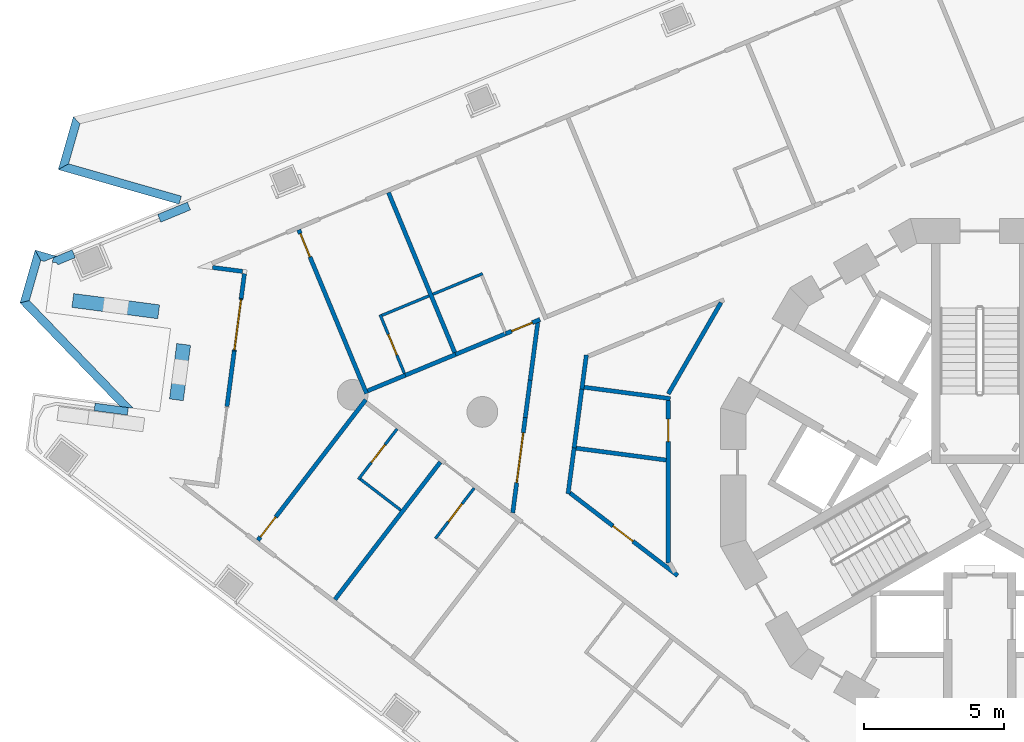
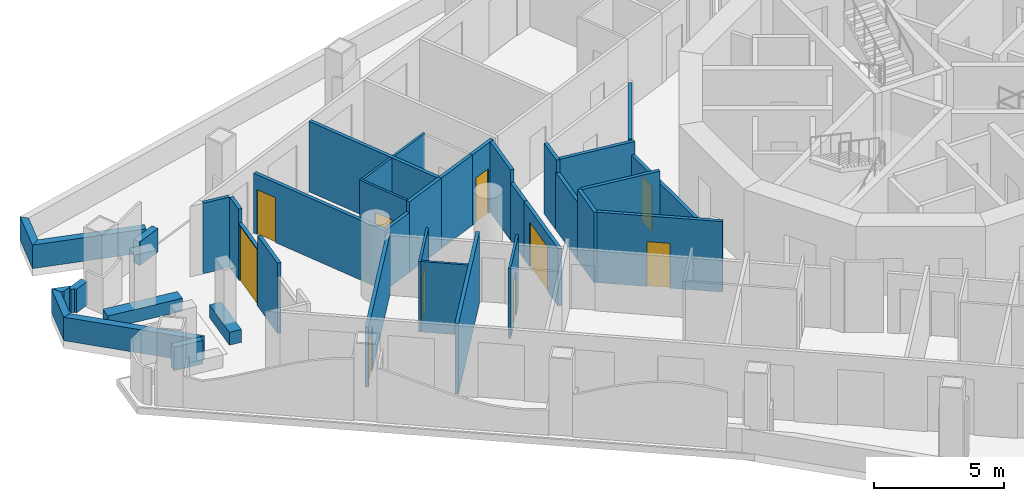
# One storey, part 6 of 19: 39 walls, 10 doors, 10 openings.
"""IFC4 building model written with IfcOpenShell, lengths in metres."""

from ifc_helpers import new_model, si_unit, direction, frame, frame_2d, origin, place, context, subcontext, project, spatial, polyline, rectangle, outline, extrude, material, layer, layer_set, type_object, element, fill, save


model = new_model("IFC4")

# Units and contexts
model_context = context("Model", 3, precision=1e-05, world=origin(), true_north=direction((0.0, 1.0)))
body_context = subcontext(model_context, "Body", "Model", "MODEL_VIEW")
ifc_project = project(units=[si_unit("LENGTHUNIT", "METRE"), si_unit("AREAUNIT", "SQUARE_METRE"), si_unit("VOLUMEUNIT", "CUBIC_METRE"), si_unit("PLANEANGLEUNIT", "RADIAN"), si_unit("MASSUNIT", "GRAM", prefix="KILO")], contexts=[model_context])

# Site, building, storey
site_placement = place(None, origin())
site = spatial("IfcSite", under=ifc_project, at=site_placement, CompositionType="ELEMENT")
building_placement = place(site_placement, origin())
building = spatial("IfcBuilding", under=site, at=building_placement, Name="Trine Commons Tower", CompositionType="ELEMENT")
storey_placement = place(building_placement, frame((0.0, 0.0, 124.199951171875)))
storey = spatial("IfcBuildingStorey", under=building, at=storey_placement, Name="L31", CompositionType="ELEMENT", Elevation=124.199951171875)

# Wall
ifc_material_1 = material(Name="Aluminium-framed insulated wall panel", Category="aluminium")
ifc_layer_1 = layer(ifc_material_1, 0.14990234375)
ifc_layer_set_1 = layer_set([ifc_layer_1], Name="Aluminium-framed insulated wall panel")
wall_type_1 = type_object("IfcWallType", Name="Glazed frame wall 150, EI 60", PredefinedType="SOLIDWALL", material=ifc_layer_set_1)
wall_1_placement = place(storey_placement, frame((53.059326171875, 65.0380859375, 0.0), z_axis=(0.0, 0.0, 1.0), x_axis=(0.130492404742, 0.991449308994, 0.0)))
element("IfcWall", 1, at=wall_1_placement, inside=storey, type_object=wall_type_1, Name="Glazed frame wall P1.3", PredefinedType="SOLIDWALL", context=body_context, shape_type="SweptSolid", body=[
    extrude(outline(polyline([(0.0, -0.074951171875), (2.0, -0.074951171875), (2.0, 0.074951171875), (0.0, 0.074951171875), (0.0, -0.074951171875)])), origin(), (0.0, 0.0, 1.0), 3.300048828125),
])

# Wall, opening, door
wall_2_placement = place(storey_placement, frame((53.3203125, 67.02099609375, 0.0), z_axis=(0.0, 0.0, 1.0), x_axis=(0.130547578832, 0.991442045538, 0.0)))
wall_2 = element("IfcWall", 2, at=wall_2_placement, inside=storey, type_object=wall_type_1, Name="Glazed frame wall P1.4", PredefinedType="SOLIDWALL", context=body_context, shape_type="SweptSolid", body=[
    extrude(outline(polyline([(0.0, -0.074951171875), (1.89990234375, -0.074951171875), (1.89990234375, 0.074951171875), (0.0, 0.074951171875), (0.0, -0.074951171875)])), origin(), (0.0, 0.0, 1.0), 2.650146484375),
])
opening_1_placement = place(wall_2_placement, frame((0.050048828125, 0.0, 0.0)))
opening_1 = element("IfcOpeningElement", 3, at=opening_1_placement, cuts=wall_2, Name="Opening BD-4P1-02", PredefinedType="OPENING", context=body_context, shape_type="SweptSolid", body=[
    extrude(rectangle(XDim=1.800048828125, YDim=2.60009765625, at=frame_2d((0.89990234375, 1.300048828125))), frame((0.0, 0.0849609375, 0.0), z_axis=(0.0, -1.0, 0.0), x_axis=(1.0, 0.0, 0.0)), (0.0, 0.0, 1.0), 0.169921875),
])
ifc_material_2 = material(Name="Anodised aluminium frame with double glazing", Category="aluminium")
door_type_1 = type_object("IfcDoorType", Name="Sliding loggia door 1800x2600", OperationType="SLIDING_TO_LEFT", PredefinedType="DOOR", material=ifc_material_2)
door_1_placement = place(opening_1_placement, origin())
door_1 = element("IfcDoor", 4, at=door_1_placement, inside=storey, type_object=door_type_1, Name="Loggia door P1 2", OperationType="SLIDING_TO_LEFT", OverallHeight=2.60009765625, OverallWidth=1.800048828125, PredefinedType="DOOR", context=body_context, shape_type="SweptSolid", body=[
    extrude(rectangle(XDim=1.800048828125, YDim=2.60009765625, at=frame_2d((0.89990234375, 1.300048828125))), frame((0.0, 0.02490234375, 0.0), z_axis=(0.0, -1.0, 0.0), x_axis=(1.0, 0.0, 0.0)), (0.0, 0.0, 1.0), 0.050048828125),
])
fill(opening_1, door_1)

# Walls
wall_3_placement = place(storey_placement, frame((53.568359375, 68.90478515625, 0.0), z_axis=(0.0, 0.0, 1.0), x_axis=(0.130612392842, 0.991433509034, 0.0)))
element("IfcWall", 5, at=wall_3_placement, inside=storey, type_object=wall_type_1, Name="Glazed frame wall P1.5", PredefinedType="SOLIDWALL", context=body_context, shape_type="SweptSolid", body=[
    extrude(outline(polyline([(0.889892578125, 0.074951171875), (0.0, 0.074951171875), (0.0, -0.074951171875), (0.889892578125, -0.074951171875), (0.889892578125, 0.074951171875)])), origin(), (0.0, 0.0, 1.0), 3.300048828125),
])
wall_4_placement = place(storey_placement, frame((53.72900390625, 69.85693359375, 0.0), z_axis=(0.0, 0.0, 1.0), x_axis=(-0.991446880033, 0.130510858064, 0.0)))
element("IfcWall", 6, at=wall_4_placement, inside=storey, type_object=wall_type_1, Name="Glazed frame wall R3", PredefinedType="SOLIDWALL", context=body_context, shape_type="SweptSolid", body=[
    extrude(outline(polyline([(0.110107421875, 0.074951171875), (0.110107421875, -0.074951171875), (1.19580078125, -0.074951171875), (1.19580078125, 0.074951171875), (0.110107421875, 0.074951171875)])), origin(), (0.0, 0.0, 1.0), 3.300048828125),
])
ifc_material_3 = material(Name="Planter trough, precast concrete C40/50", Category="concrete")
ifc_layer_2 = layer(ifc_material_3, 0.5)
ifc_layer_set_2 = layer_set([ifc_layer_2], Name="Planter trough, precast concrete C40/50")
wall_type_2 = type_object("IfcWallType", Name="Planter trough 500x600", PredefinedType="PARAPET", material=ifc_layer_set_2)
wall_5_placement = place(storey_placement, frame((51.25, 65.2763671875, 0.0), z_axis=(0.0, 0.0, 1.0), x_axis=(0.130492404742, 0.991449308994, 0.0)))
element("IfcWall", 7, at=wall_5_placement, inside=storey, type_object=wall_type_2, Name="Planter 2", PredefinedType="PARAPET", context=body_context, shape_type="SweptSolid", body=[
    extrude(rectangle(XDim=2.0, YDim=0.5, at=frame_2d((1.0, 0.0))), origin(), (0.0, 0.0, 1.0), 0.60009765625),
])
wall_6_placement = place(storey_placement, frame((50.615478515625, 68.426025390625, 0.0), z_axis=(0.0, 0.0, 1.0), x_axis=(-0.991437130155, 0.130584903225, 0.0)))
element("IfcWall", 8, at=wall_6_placement, inside=storey, type_object=wall_type_2, Name="Planter 3", PredefinedType="PARAPET", context=body_context, shape_type="SweptSolid", body=[
    extrude(rectangle(XDim=3.099853515625, YDim=0.5, at=frame_2d((1.5498046875, 0.0))), origin(), (0.0, 0.0, 1.0), 0.60009765625),
])
ifc_material_4 = material(Name="Limestone, honed", Category="masonry")
ifc_layer_3 = layer(ifc_material_4, 0.300048828125)
ifc_layer_set_3 = layer_set([ifc_layer_3], Name="Limestone, honed")
wall_type_3 = type_object("IfcWallType", Name="Stone parapet 300", PredefinedType="PARAPET", material=ifc_layer_set_3)
wall_7_placement = place(storey_placement, origin())
element("IfcWall", 9, at=wall_7_placement, inside=storey, type_object=wall_type_3, Name="Sliver roof parapet L30 1.1", PredefinedType="PARAPET", context=body_context, shape_type="SweptSolid", body=[
    extrude(outline(polyline([(46.962890625, 70.412841796875), (46.1943359375, 70.63330078125), (46.400146484375, 70.26220703125), (46.51806640625, 70.228271484375), (46.835693359375, 70.360107421875), (46.962890625, 70.412841796875)])), origin(), (0.0, 0.0, 1.0), 1.10009765625),
])
wall_8_placement = place(storey_placement, origin())
element("IfcWall", 10, at=wall_8_placement, inside=storey, type_object=wall_type_3, Name="Sliver roof parapet L30 1.2", PredefinedType="PARAPET", context=body_context, shape_type="SweptSolid", body=[
    extrude(outline(polyline([(46.1943359375, 70.63330078125), (45.653076171875, 68.7451171875), (45.989013671875, 68.828857421875), (46.400146484375, 70.26220703125), (46.1943359375, 70.63330078125)])), origin(), (0.0, 0.0, 1.0), 1.10009765625),
])
wall_9_placement = place(storey_placement, origin())
element("IfcWall", 11, at=wall_9_placement, inside=storey, type_object=wall_type_3, Name="Sliver roof parapet L30 1.3", PredefinedType="PARAPET", context=body_context, shape_type="SweptSolid", body=[
    extrude(outline(polyline([(45.653076171875, 68.7451171875), (49.2333984375, 65.03759765625), (49.711181640625, 64.974609375), (45.989013671875, 68.828857421875), (45.653076171875, 68.7451171875)])), origin(), (0.0, 0.0, 1.0), 1.10009765625),
])
wall_10_placement = place(storey_placement, origin())
element("IfcWall", 12, at=wall_10_placement, inside=storey, type_object=wall_type_3, Name="Sliver roof parapet extension L30 1.X1", PredefinedType="PARAPET", context=body_context, shape_type="SweptSolid", body=[
    extrude(outline(polyline([(46.834228515625, 70.347900390625), (46.82861328125, 70.304931640625), (46.814697265625, 70.19921875), (46.95703125, 70.180419921875), (47.01171875, 70.10595703125), (47.018798828125, 70.111083984375), (47.632080078125, 70.365234375), (47.51708984375, 70.642333984375), (46.87060546875, 70.37451171875), (46.834228515625, 70.347900390625)])), origin(), (0.0, 0.0, 1.0), 1.10009765625),
])
wall_11_placement = place(storey_placement, origin())
element("IfcWall", 13, at=wall_11_placement, inside=storey, type_object=wall_type_3, Name="Sliver roof parapet extension L30 1.X2", PredefinedType="PARAPET", context=body_context, shape_type="SweptSolid", body=[
    extrude(outline(polyline([(49.49560546875, 64.730712890625), (49.53076171875, 64.998291015625), (48.341064453125, 65.155029296875), (48.305908203125, 64.887451171875), (49.49560546875, 64.730712890625)])), origin(), (0.0, 0.0, 1.0), 1.10009765625),
])
wall_12_placement = place(storey_placement, origin())
element("IfcWall", 14, at=wall_12_placement, inside=storey, type_object=wall_type_3, Name="Sliver roof parapet L30 2.2", PredefinedType="PARAPET", context=body_context, shape_type="SweptSolid", body=[
    extrude(outline(polyline([(47.562744140625, 75.405029296875), (47.021240234375, 73.516845703125), (47.392333984375, 73.72265625), (47.80322265625, 75.15576171875), (47.562744140625, 75.405029296875)])), origin(), (0.0, 0.0, 1.0), 1.10009765625),
])
wall_13_placement = place(storey_placement, origin())
element("IfcWall", 15, at=wall_13_placement, inside=storey, type_object=wall_type_3, Name="Sliver roof parapet L30 2.3", PredefinedType="PARAPET", context=body_context, shape_type="SweptSolid", body=[
    extrude(outline(polyline([(47.021240234375, 73.516845703125), (51.346923828125, 72.276611328125), (51.4296875, 72.56494140625), (47.392333984375, 73.72265625), (47.021240234375, 73.516845703125)])), origin(), (0.0, 0.0, 1.0), 1.10009765625),
])
wall_14_placement = place(storey_placement, origin())
element("IfcWall", 16, at=wall_14_placement, inside=storey, type_object=wall_type_3, Name="Sliver roof parapet extension L30 2.X2", PredefinedType="PARAPET", context=body_context, shape_type="SweptSolid", body=[
    extrude(outline(polyline([(50.693359375, 71.63330078125), (51.755859375, 72.073486328125), (51.64111328125, 72.3505859375), (50.57861328125, 71.910400390625), (50.693359375, 71.63330078125)])), origin(), (0.0, 0.0, 1.0), 1.10009765625),
])

# Wall, opening, door
ifc_material_5 = material(Name="Gypsum plasterboard on steel stud", Category="steel")
ifc_layer_4 = layer(ifc_material_5, 0.14990234375)
ifc_layer_set_4 = layer_set([ifc_layer_4], Name="Gypsum plasterboard on steel stud")
wall_type_4 = type_object("IfcWallType", Name="Unit and corridor wall 150 mm, EI 60", PredefinedType="PARTITIONING", material=ifc_layer_set_4)
wall_15_placement = place(storey_placement, frame((54.165283203125, 60.248779296875, 0.0), z_axis=(0.0, 0.0, 1.0), x_axis=(0.608817658648, 0.793310190605, 0.0)))
wall_15 = element("IfcWall", 17, at=wall_15_placement, inside=storey, type_object=wall_type_4, Name="Partition 001", PredefinedType="PARTITIONING", context=body_context, shape_type="SweptSolid", body=[
    extrude(rectangle(XDim=6.343994140625, YDim=0.14990234375, at=frame_2d((3.171875, 0.0))), origin(), (0.0, 0.0, 1.0), 2.800048828125),
])
opening_2_placement = place(wall_15_placement, frame((0.14990234375, 0.0, 0.0)))
opening_2 = element("IfcOpeningElement", 18, at=opening_2_placement, cuts=wall_15, Name="Opening D-4A31", PredefinedType="OPENING", context=body_context, shape_type="SweptSolid", body=[
    extrude(rectangle(XDim=0.89990234375, YDim=2.10009765625, at=frame_2d((0.449951171875, 1.050048828125))), frame((0.0, 0.0849609375, 0.0), z_axis=(0.0, -1.0, 0.0), x_axis=(1.0, 0.0, 0.0)), (0.0, 0.0, 1.0), 0.169921875),
])
ifc_material_6 = material(Name="Timber fire door set", Category="wood")
door_type_2 = type_object("IfcDoorType", Name="Bedroom door 900 x 2100, FD30S", OperationType="NOTDEFINED", PredefinedType="DOOR", material=ifc_material_6)
door_2_placement = place(opening_2_placement, frame((0.89990234375, 0.0, 0.0), z_axis=(0.0, 0.0, 1.0), x_axis=(-1.0, 0.0, 0.0)))
door_2 = element("IfcDoor", 19, at=door_2_placement, inside=storey, type_object=door_type_2, Name="Door D-4A31", OperationType="SINGLE_SWING_RIGHT", OverallHeight=2.10009765625, OverallWidth=0.89990234375, PredefinedType="DOOR", context=body_context, shape_type="SweptSolid", body=[
    extrude(rectangle(XDim=0.89990234375, YDim=2.10009765625, at=frame_2d((0.449951171875, 1.050048828125))), frame((0.0, 0.02490234375, 0.0), z_axis=(0.0, -1.0, 0.0), x_axis=(1.0, 0.0, 0.0)), (0.0, 0.0, 1.0), 0.050048828125),
])
fill(opening_2, door_2)

wall_16_placement = place(storey_placement, frame((55.62841796875, 71.361083984375, 0.0), z_axis=(0.0, 0.0, 1.0), x_axis=(0.38260330851, -0.923912716828, 0.0)))
wall_16 = element("IfcWall", 20, at=wall_16_placement, inside=storey, type_object=wall_type_4, Name="Partition 002", PredefinedType="PARTITIONING", context=body_context, shape_type="SweptSolid", body=[
    extrude(rectangle(XDim=6.343994140625, YDim=0.14990234375, at=frame_2d((3.171875, 0.0))), origin(), (0.0, 0.0, 1.0), 2.800048828125),
])
opening_3_placement = place(wall_16_placement, frame((0.14990234375, 0.0, 0.0)))
opening_3 = element("IfcOpeningElement", 21, at=opening_3_placement, cuts=wall_16, Name="Opening D-4A05", PredefinedType="OPENING", context=body_context, shape_type="SweptSolid", body=[
    extrude(rectangle(XDim=0.89990234375, YDim=2.10009765625, at=frame_2d((0.449951171875, 1.050048828125))), frame((0.0, 0.0849609375, 0.0), z_axis=(0.0, -1.0, 0.0), x_axis=(1.0, 0.0, 0.0)), (0.0, 0.0, 1.0), 0.169921875),
])
door_3_placement = place(opening_3_placement, origin())
door_3 = element("IfcDoor", 22, at=door_3_placement, inside=storey, type_object=door_type_2, Name="Door D-4A05", OperationType="SINGLE_SWING_LEFT", OverallHeight=2.10009765625, OverallWidth=0.89990234375, PredefinedType="DOOR", context=body_context, shape_type="SweptSolid", body=[
    extrude(rectangle(XDim=0.89990234375, YDim=2.10009765625, at=frame_2d((0.449951171875, 1.050048828125))), frame((0.0, 0.02490234375, 0.0), z_axis=(0.0, -1.0, 0.0), x_axis=(1.0, 0.0, 0.0)), (0.0, 0.0, 1.0), 0.050048828125),
])
fill(opening_3, door_3)

# Walls
wall_17_placement = place(storey_placement, frame((56.92431640625, 58.131591796875, 0.0), z_axis=(0.0, 0.0, 1.0), x_axis=(0.608635904236, 0.793449643062, 0.0)))
element("IfcWall", 23, at=wall_17_placement, inside=storey, type_object=wall_type_4, Name="Partition 003", PredefinedType="PARTITIONING", context=body_context, shape_type="SweptSolid", body=[
    extrude(rectangle(XDim=6.194091796875, YDim=0.14990234375, at=frame_2d((3.09716796875, 0.0))), origin(), (0.0, 0.0, 1.0), 3.300048828125),
])
wall_18_placement = place(storey_placement, frame((58.09619140625, 65.59765625, 0.0), z_axis=(0.0, 0.0, 1.0), x_axis=(0.923888134281, 0.382662665196, 0.0)))
element("IfcWall", 24, at=wall_18_placement, inside=storey, type_object=wall_type_4, Name="Partition 007", PredefinedType="PARTITIONING", context=body_context, shape_type="SweptSolid", body=[
    extrude(rectangle(XDim=1.45654296875, YDim=0.14990234375, at=frame_2d((0.728271484375, 0.0))), origin(), (0.0, 0.0, 1.0), 2.800048828125),
])
wall_19_placement = place(storey_placement, frame((58.84130859375, 72.69189453125, 0.0), z_axis=(0.0, 0.0, 1.0), x_axis=(0.382610562407, -0.923909712869, 0.0)))
element("IfcWall", 25, at=wall_19_placement, inside=storey, type_object=wall_type_4, Name="Partition 010", PredefinedType="PARTITIONING", context=body_context, shape_type="SweptSolid", body=[
    extrude(rectangle(XDim=6.19384765625, YDim=0.14990234375, at=frame_2d((3.096923828125, 0.0))), origin(), (0.0, 0.0, 1.0), 3.300048828125),
])
wall_20_placement = place(storey_placement, frame((59.388916015625, 66.1328125, 0.0), z_axis=(0.0, 0.0, 1.0), x_axis=(0.923817799338, 0.382832435442, 0.0)))
element("IfcWall", 26, at=wall_20_placement, inside=storey, type_object=wall_type_4, Name="Partition 011", PredefinedType="PARTITIONING", context=body_context, shape_type="SweptSolid", body=[
    extrude(rectangle(XDim=2.003662109375, YDim=0.14990234375, at=frame_2d((1.001953125, 0.0))), origin(), (0.0, 0.0, 1.0), 3.300048828125),
])
wall_21_placement = place(storey_placement, frame((61.239990234375, 66.89990234375, 0.0), z_axis=(0.0, 0.0, 1.0), x_axis=(0.92387678234, 0.382690071798, 0.0)))
element("IfcWall", 27, at=wall_21_placement, inside=storey, type_object=wall_type_4, Name="Partition 016", PredefinedType="PARTITIONING", context=body_context, shape_type="SweptSolid", body=[
    extrude(rectangle(XDim=1.95458984375, YDim=0.14990234375, at=frame_2d((0.977294921875, 0.0))), origin(), (0.0, 0.0, 1.0), 3.300048828125),
])

# Wall, opening, door
wall_22_placement = place(storey_placement, frame((63.0380859375, 67.64404296875, 0.0), z_axis=(0.0, 0.0, 1.0), x_axis=(0.923848523473, 0.38275828623, 0.0)))
wall_22 = element("IfcWall", 28, at=wall_22_placement, inside=storey, type_object=wall_type_4, Name="Partition 020", PredefinedType="PARTITIONING", context=body_context, shape_type="SweptSolid", body=[
    extrude(rectangle(XDim=1.326171875, YDim=0.14990234375, at=frame_2d((0.6630859375, 0.0))), origin(), (0.0, 0.0, 1.0), 3.300048828125),
])
opening_4_placement = place(wall_22_placement, frame((0.227783203125, 0.0, 0.0)))
opening_4 = element("IfcOpeningElement", 29, at=opening_4_placement, cuts=wall_22, Name="Opening D-4A06", PredefinedType="OPENING", context=body_context, shape_type="SweptSolid", body=[
    extrude(rectangle(XDim=0.800048828125, YDim=2.10009765625, at=frame_2d((0.39990234375, 1.050048828125))), frame((0.0, 0.0849609375, 0.0), z_axis=(0.0, -1.0, 0.0), x_axis=(1.0, 0.0, 0.0)), (0.0, 0.0, 1.0), 0.169921875),
])
door_type_3 = type_object("IfcDoorType", Name="Bedroom door 800 x 2100, FD30S", OperationType="NOTDEFINED", PredefinedType="DOOR", material=ifc_material_6)
door_4_placement = place(opening_4_placement, origin())
door_4 = element("IfcDoor", 30, at=door_4_placement, inside=storey, type_object=door_type_3, Name="Door D-4A06", OperationType="SINGLE_SWING_LEFT", OverallHeight=2.10009765625, OverallWidth=0.800048828125, PredefinedType="DOOR", context=body_context, shape_type="SweptSolid", body=[
    extrude(rectangle(XDim=0.800048828125, YDim=2.10009765625, at=frame_2d((0.39990234375, 1.050048828125))), frame((0.0, 0.02490234375, 0.0), z_axis=(0.0, -1.0, 0.0), x_axis=(1.0, 0.0, 0.0)), (0.0, 0.0, 1.0), 0.050048828125),
])
fill(opening_4, door_4)

wall_23_placement = place(storey_placement, frame((63.286865234375, 61.2333984375, 0.0), z_axis=(0.0, 0.0, 1.0), x_axis=(0.130693367383, 0.991422838007, 0.0)))
wall_23 = element("IfcWall", 31, at=wall_23_placement, inside=storey, type_object=wall_type_4, Name="Partition 021", PredefinedType="PARTITIONING", context=body_context, shape_type="SweptSolid", body=[
    extrude(rectangle(XDim=3.437255859375, YDim=0.14990234375, at=frame_2d((1.71875, 0.0))), origin(), (0.0, 0.0, 1.0), 2.699951171875),
])
opening_5_placement = place(wall_23_placement, frame((1.0859375, 0.0, 0.0)))
opening_5 = element("IfcOpeningElement", 32, at=opening_5_placement, cuts=wall_23, Name="Opening D-4A03", PredefinedType="OPENING", context=body_context, shape_type="SweptSolid", body=[
    extrude(rectangle(XDim=1.800048828125, YDim=2.10009765625, at=frame_2d((0.89990234375, 1.050048828125))), frame((0.0, 0.0849609375, 0.0), z_axis=(0.0, -1.0, 0.0), x_axis=(1.0, 0.0, 0.0)), (0.0, 0.0, 1.0), 0.169921875),
])
door_type_4 = type_object("IfcDoorType", Name="Cluster entrance door 1800 x 2100, double leaf, FD30S", OperationType="DOUBLE_DOOR_DOUBLE_SWING", PredefinedType="DOOR", material=ifc_material_6)
door_5_placement = place(opening_5_placement, origin())
door_5 = element("IfcDoor", 33, at=door_5_placement, inside=storey, type_object=door_type_4, Name="Door D-4A03", OperationType="DOUBLE_DOOR_DOUBLE_SWING", OverallHeight=2.10009765625, OverallWidth=1.800048828125, PredefinedType="DOOR", context=body_context, shape_type="SweptSolid", body=[
    extrude(rectangle(XDim=1.800048828125, YDim=2.10009765625, at=frame_2d((0.89990234375, 1.050048828125))), frame((0.0, 0.02490234375, 0.0), z_axis=(0.0, -1.0, 0.0), x_axis=(1.0, 0.0, 0.0)), (0.0, 0.0, 1.0), 0.050048828125),
])
fill(opening_5, door_5)

# Walls
wall_24_placement = place(storey_placement, frame((63.736083984375, 64.64111328125, 0.0), z_axis=(0.0, 0.0, 1.0), x_axis=(0.129741998441, 0.991547786968, 0.0)))
element("IfcWall", 34, at=wall_24_placement, inside=storey, type_object=wall_type_4, Name="Partition 022", PredefinedType="PARTITIONING", context=body_context, shape_type="SweptSolid", body=[
    extrude(rectangle(XDim=1.347412109375, YDim=0.14990234375, at=frame_2d((0.673828125, 0.0))), origin(), (0.0, 0.0, 1.0), 2.699951171875),
])
wall_25_placement = place(storey_placement, frame((63.910888671875, 65.97705078125, 0.0), z_axis=(0.0, 0.0, 1.0), x_axis=(0.13074768898, 0.9914156756, 0.0)))
element("IfcWall", 35, at=wall_25_placement, inside=storey, type_object=wall_type_4, Name="Partition 023", PredefinedType="PARTITIONING", context=body_context, shape_type="SweptSolid", body=[
    extrude(rectangle(XDim=2.08935546875, YDim=0.14990234375, at=frame_2d((1.044677734375, 0.0))), origin(), (0.0, 0.0, 1.0), 3.300048828125),
])
wall_26_placement = place(storey_placement, frame((65.26708984375, 61.91259765625, 0.0), z_axis=(0.0, 0.0, 1.0), x_axis=(0.130621934677, 0.991432251937, 0.0)))
element("IfcWall", 36, at=wall_26_placement, inside=storey, type_object=wall_type_4, Name="Partition 027", PredefinedType="PARTITIONING", context=body_context, shape_type="SweptSolid", body=[
    extrude(rectangle(XDim=1.65966796875, YDim=0.14990234375, at=frame_2d((0.829833984375, 0.0))), origin(), (0.0, 0.0, 1.0), 3.300048828125),
])

# Wall, opening, door
wall_27_placement = place(storey_placement, frame((65.33642578125, 61.94140625, 0.0), z_axis=(0.0, 0.0, 1.0), x_axis=(0.79340079326, -0.608699582105, 0.0)))
wall_27 = element("IfcWall", 37, at=wall_27_placement, inside=storey, type_object=wall_type_4, Name="Partition 028", PredefinedType="PARTITIONING", context=body_context, shape_type="SweptSolid", body=[
    extrude(rectangle(XDim=4.8564453125, YDim=0.14990234375, at=frame_2d((2.42822265625, 0.0))), origin(), (0.0, 0.0, 1.0), 3.300048828125),
])
opening_6_placement = place(wall_27_placement, frame((1.940185546875, 0.0, 0.0)))
opening_6 = element("IfcOpeningElement", 38, at=opening_6_placement, cuts=wall_27, Name="Opening D-4A33", PredefinedType="OPENING", context=body_context, shape_type="SweptSolid", body=[
    extrude(rectangle(XDim=0.89990234375, YDim=2.10009765625, at=frame_2d((0.449951171875, 1.050048828125))), frame((0.0, 0.0849609375, 0.0), z_axis=(0.0, -1.0, 0.0), x_axis=(1.0, 0.0, 0.0)), (0.0, 0.0, 1.0), 0.169921875),
])
door_type_5 = type_object("IfcDoorType", Name="Service door 900 x 2100, FD30S", OperationType="NOTDEFINED", PredefinedType="DOOR", material=ifc_material_6)
door_6_placement = place(opening_6_placement, origin())
door_6 = element("IfcDoor", 39, at=door_6_placement, inside=storey, type_object=door_type_5, Name="Door D-4A33", OperationType="SINGLE_SWING_LEFT", OverallHeight=2.10009765625, OverallWidth=0.89990234375, PredefinedType="DOOR", context=body_context, shape_type="SweptSolid", body=[
    extrude(rectangle(XDim=0.89990234375, YDim=2.10009765625, at=frame_2d((0.449951171875, 1.050048828125))), frame((0.0, 0.02490234375, 0.0), z_axis=(0.0, -1.0, 0.0), x_axis=(1.0, 0.0, 0.0)), (0.0, 0.0, 1.0), 0.050048828125),
])
fill(opening_6, door_6)

# Walls
wall_28_placement = place(storey_placement, frame((65.47314453125, 63.4755859375, 0.0), z_axis=(0.0, 0.0, 1.0), x_axis=(0.130468344309, 0.991452475479, 0.0)))
element("IfcWall", 40, at=wall_28_placement, inside=storey, type_object=wall_type_4, Name="Partition 029", PredefinedType="PARTITIONING", context=body_context, shape_type="SweptSolid", body=[
    extrude(rectangle(XDim=2.282958984375, YDim=0.14990234375, at=frame_2d((1.1416015625, 0.0))), origin(), (0.0, 0.0, 1.0), 2.699951171875),
])
wall_29_placement = place(storey_placement, frame((65.558349609375, 63.544189453125, 0.0), z_axis=(0.0, 0.0, 1.0), x_axis=(0.991425096487, -0.13067623371, 0.0)))
element("IfcWall", 41, at=wall_29_placement, inside=storey, type_object=wall_type_4, Name="Partition 030", PredefinedType="PARTITIONING", context=body_context, shape_type="SweptSolid", body=[
    extrude(rectangle(XDim=3.2470703125, YDim=0.14990234375, at=frame_2d((1.62353515625, 0.0))), origin(), (0.0, 0.0, 1.0), 3.300048828125),
])
wall_30_placement = place(storey_placement, frame((65.76025390625, 65.656494140625, 0.0), z_axis=(0.0, 0.0, 1.0), x_axis=(0.131022785859, 0.99137935705, 0.0)))
element("IfcWall", 42, at=wall_30_placement, inside=storey, type_object=wall_type_4, Name="Partition 031", PredefinedType="PARTITIONING", context=body_context, shape_type="SweptSolid", body=[
    extrude(rectangle(XDim=1.233642578125, YDim=0.14990234375, at=frame_2d((0.61669921875, 0.0))), origin(), (0.0, 0.0, 1.0), 3.300048828125),
])
wall_31_placement = place(storey_placement, frame((65.845458984375, 65.72509765625, 0.0), z_axis=(0.0, 0.0, 1.0), x_axis=(0.991429142169, -0.130645535929, 0.0)))
element("IfcWall", 43, at=wall_31_placement, inside=storey, type_object=wall_type_4, Name="Partition 032", PredefinedType="PARTITIONING", context=body_context, shape_type="SweptSolid", body=[
    extrude(rectangle(XDim=3.107666015625, YDim=0.14990234375, at=frame_2d((1.5537109375, 0.0))), origin(), (0.0, 0.0, 1.0), 3.300048828125),
])

# Wall, opening, door
wall_32_placement = place(storey_placement, frame((68.85205078125, 59.43798828125, 0.0), z_axis=(0.0, 0.0, 1.0), x_axis=(0.0, 1.0, 0.0)))
wall_32 = element("IfcWall", 44, at=wall_32_placement, inside=storey, type_object=wall_type_4, Name="Partition 038", PredefinedType="PARTITIONING", context=body_context, shape_type="SweptSolid", body=[
    extrude(rectangle(XDim=5.820068359375, YDim=0.14990234375, at=frame_2d((2.91015625, 0.0))), origin(), (0.0, 0.0, 1.0), 2.699951171875),
])
opening_7_placement = place(wall_32_placement, frame((4.345947265625, 0.0, 0.0)))
opening_7 = element("IfcOpeningElement", 45, at=opening_7_placement, cuts=wall_32, Name="Opening D-4A37", PredefinedType="OPENING", context=body_context, shape_type="SweptSolid", body=[
    extrude(rectangle(XDim=0.800048828125, YDim=2.10009765625, at=frame_2d((0.39990234375, 1.050048828125))), frame((0.0, 0.0849609375, 0.0), z_axis=(0.0, -1.0, 0.0), x_axis=(1.0, 0.0, 0.0)), (0.0, 0.0, 1.0), 0.169921875),
])
ifc_material_7 = material(Name="Painted timber", Category="wood")
door_type_6 = type_object("IfcDoorType", Name="Toilet door 800 x 2100, NOT RATED", OperationType="NOTDEFINED", PredefinedType="DOOR", material=ifc_material_7)
door_7_placement = place(opening_7_placement, origin())
door_7 = element("IfcDoor", 46, at=door_7_placement, inside=storey, type_object=door_type_6, Name="Door D-4A37", OperationType="SINGLE_SWING_RIGHT", OverallHeight=2.10009765625, OverallWidth=0.800048828125, PredefinedType="DOOR", context=body_context, shape_type="SweptSolid", body=[
    extrude(rectangle(XDim=0.800048828125, YDim=2.10009765625, at=frame_2d((0.39990234375, 1.050048828125))), frame((0.0, 0.02490234375, 0.0), z_axis=(0.0, -1.0, 0.0), x_axis=(1.0, 0.0, 0.0)), (0.0, 0.0, 1.0), 0.050048828125),
])
fill(opening_7, door_7)

# Wall
wall_33_placement = place(storey_placement, frame((68.85205078125, 65.487060546875, 0.0), z_axis=(0.0, 0.0, 1.0), x_axis=(0.500065504582, 0.865987581393, 0.0)))
element("IfcWall", 47, at=wall_33_placement, inside=storey, type_object=wall_type_4, Name="Partition 040", PredefinedType="PARTITIONING", context=body_context, shape_type="SweptSolid", body=[
    extrude(rectangle(XDim=3.7783203125, YDim=0.14990234375, at=frame_2d((1.88916015625, 0.0))), origin(), (0.0, 0.0, 1.0), 3.300048828125),
])

# Wall, opening, door
ifc_layer_5 = layer(ifc_material_5, 0.10009765625)
ifc_layer_set_5 = layer_set([ifc_layer_5], Name="Gypsum plasterboard on steel stud")
wall_type_5 = type_object("IfcWallType", Name="Unit partition 100 mm, no rating", PredefinedType="PARTITIONING", material=ifc_layer_set_5)
wall_34_placement = place(storey_placement, frame((57.7626953125, 62.42822265625, 0.0), z_axis=(0.0, 0.0, 1.0), x_axis=(0.608652294224, 0.793437070432, 0.0)))
wall_34 = element("IfcWall", 48, at=wall_34_placement, inside=storey, type_object=wall_type_5, Name="Partition 004", PredefinedType="PARTITIONING", context=body_context, shape_type="SweptSolid", body=[
    extrude(rectangle(XDim=2.275146484375, YDim=0.10009765625, at=frame_2d((1.1376953125, 0.0))), origin(), (0.0, 0.0, 1.0), 3.300048828125),
])
opening_8_placement = place(wall_34_placement, frame((0.762451171875, 0.0, 0.0)))
opening_8 = element("IfcOpeningElement", 49, at=opening_8_placement, cuts=wall_34, Name="Opening D-4A58", PredefinedType="OPENING", context=body_context, shape_type="SweptSolid", body=[
    extrude(rectangle(XDim=0.800048828125, YDim=2.10009765625, at=frame_2d((0.39990234375, 1.050048828125))), frame((0.0, 0.06005859375, 0.0), z_axis=(0.0, -1.0, 0.0), x_axis=(1.0, 0.0, 0.0)), (0.0, 0.0, 1.0), 0.1201171875),
])
door_type_7 = type_object("IfcDoorType", Name="Internal door 800 x 2100, NOT RATED", OperationType="NOTDEFINED", PredefinedType="DOOR", material=ifc_material_7)
door_8_placement = place(opening_8_placement, origin())
door_8 = element("IfcDoor", 50, at=door_8_placement, inside=storey, type_object=door_type_7, Name="Door D-4A58", OperationType="SINGLE_SWING_RIGHT", OverallHeight=2.10009765625, OverallWidth=0.800048828125, PredefinedType="DOOR", context=body_context, shape_type="SweptSolid", body=[
    extrude(rectangle(XDim=0.800048828125, YDim=2.10009765625, at=frame_2d((0.39990234375, 1.050048828125))), frame((0.0, 0.02490234375, 0.0), z_axis=(0.0, -1.0, 0.0), x_axis=(1.0, 0.0, 0.0)), (0.0, 0.0, 1.0), 0.050048828125),
])
fill(opening_8, door_8)

# Wall
wall_35_placement = place(storey_placement, frame((57.832763671875, 62.4375, 0.0), z_axis=(0.0, 0.0, 1.0), x_axis=(0.793369431695, -0.608740457709, 0.0)))
element("IfcWall", 51, at=wall_35_placement, inside=storey, type_object=wall_type_5, Name="Partition 005", PredefinedType="PARTITIONING", context=body_context, shape_type="SweptSolid", body=[
    extrude(rectangle(XDim=1.82470703125, YDim=0.10009765625, at=frame_2d((0.912353515625, 0.0))), origin(), (0.0, 0.0, 1.0), 3.300048828125),
])

# Wall, opening, door
wall_36_placement = place(storey_placement, frame((58.538818359375, 68.3251953125, 0.0), z_axis=(0.0, 0.0, 1.0), x_axis=(0.382595073996, -0.923916126796, 0.0)))
wall_36 = element("IfcWall", 52, at=wall_36_placement, inside=storey, type_object=wall_type_5, Name="Partition 008", PredefinedType="PARTITIONING", context=body_context, shape_type="SweptSolid", body=[
    extrude(rectangle(XDim=2.27490234375, YDim=0.10009765625, at=frame_2d((1.137451171875, 0.0))), origin(), (0.0, 0.0, 1.0), 3.300048828125),
])
opening_9_placement = place(wall_36_placement, frame((0.7626953125, 0.0, 0.0)))
opening_9 = element("IfcOpeningElement", 53, at=opening_9_placement, cuts=wall_36, Name="Opening D-4A39", PredefinedType="OPENING", context=body_context, shape_type="SweptSolid", body=[
    extrude(rectangle(XDim=0.800048828125, YDim=2.10009765625, at=frame_2d((0.39990234375, 1.050048828125))), frame((0.0, 0.06005859375, 0.0), z_axis=(0.0, -1.0, 0.0), x_axis=(1.0, 0.0, 0.0)), (0.0, 0.0, 1.0), 0.1201171875),
])
door_9_placement = place(opening_9_placement, frame((0.800048828125, 0.0, 0.0), z_axis=(0.0, 0.0, 1.0), x_axis=(-1.0, 0.0, 0.0)))
door_9 = element("IfcDoor", 54, at=door_9_placement, inside=storey, type_object=door_type_7, Name="Door D-4A39", OperationType="SINGLE_SWING_LEFT", OverallHeight=2.10009765625, OverallWidth=0.800048828125, PredefinedType="DOOR", context=body_context, shape_type="SweptSolid", body=[
    extrude(rectangle(XDim=0.800048828125, YDim=2.10009765625, at=frame_2d((0.39990234375, 1.050048828125))), frame((0.0, 0.02490234375, 0.0), z_axis=(0.0, -1.0, 0.0), x_axis=(1.0, 0.0, 0.0)), (0.0, 0.0, 1.0), 0.050048828125),
])
fill(opening_9, door_9)

# Walls
wall_37_placement = place(storey_placement, frame((58.604248046875, 68.298095703125, 0.0), z_axis=(0.0, 0.0, 1.0), x_axis=(0.923945120737, 0.382525049986, 0.0)))
element("IfcWall", 55, at=wall_37_placement, inside=storey, type_object=wall_type_5, Name="Partition 009", PredefinedType="PARTITIONING", context=body_context, shape_type="SweptSolid", body=[
    extrude(rectangle(XDim=1.825439453125, YDim=0.10009765625, at=frame_2d((0.91259765625, 0.0))), origin(), (0.0, 0.0, 1.0), 3.300048828125),
])
wall_38_placement = place(storey_placement, frame((60.42919921875, 69.0537109375, 0.0), z_axis=(0.0, 0.0, 1.0), x_axis=(0.923911704446, 0.382605753207, 0.0)))
element("IfcWall", 56, at=wall_38_placement, inside=storey, type_object=wall_type_5, Name="Partition 013", PredefinedType="PARTITIONING", context=body_context, shape_type="SweptSolid", body=[
    extrude(rectangle(XDim=1.924560546875, YDim=0.10009765625, at=frame_2d((0.96240234375, 0.0))), origin(), (0.0, 0.0, 1.0), 3.300048828125),
])

# Wall, opening, door
wall_39_placement = place(storey_placement, frame((60.521484375, 60.311279296875, 0.0), z_axis=(0.0, 0.0, 1.0), x_axis=(0.608719842686, 0.793385248867, 0.0)))
wall_39 = element("IfcWall", 57, at=wall_39_placement, inside=storey, type_object=wall_type_5, Name="Partition 014", PredefinedType="PARTITIONING", context=body_context, shape_type="SweptSolid", body=[
    extrude(rectangle(XDim=2.275390625, YDim=0.10009765625, at=frame_2d((1.1376953125, 0.0))), origin(), (0.0, 0.0, 1.0), 3.300048828125),
])
opening_10_placement = place(wall_39_placement, frame((0.762451171875, 0.0, 0.0)))
opening_10 = element("IfcOpeningElement", 58, at=opening_10_placement, cuts=wall_39, Name="Opening D-4A57", PredefinedType="OPENING", context=body_context, shape_type="SweptSolid", body=[
    extrude(rectangle(XDim=0.800048828125, YDim=2.10009765625, at=frame_2d((0.39990234375, 1.050048828125))), frame((0.0, 0.06005859375, 0.0), z_axis=(0.0, -1.0, 0.0), x_axis=(1.0, 0.0, 0.0)), (0.0, 0.0, 1.0), 0.1201171875),
])
door_10_placement = place(opening_10_placement, origin())
door_10 = element("IfcDoor", 59, at=door_10_placement, inside=storey, type_object=door_type_7, Name="Door D-4A57", OperationType="SINGLE_SWING_RIGHT", OverallHeight=2.10009765625, OverallWidth=0.800048828125, PredefinedType="DOOR", context=body_context, shape_type="SweptSolid", body=[
    extrude(rectangle(XDim=0.800048828125, YDim=2.10009765625, at=frame_2d((0.39990234375, 1.050048828125))), frame((0.0, 0.02490234375, 0.0), z_axis=(0.0, -1.0, 0.0), x_axis=(1.0, 0.0, 0.0)), (0.0, 0.0, 1.0), 0.050048828125),
])
fill(opening_10, door_10)

save(model, "model.ifc")
